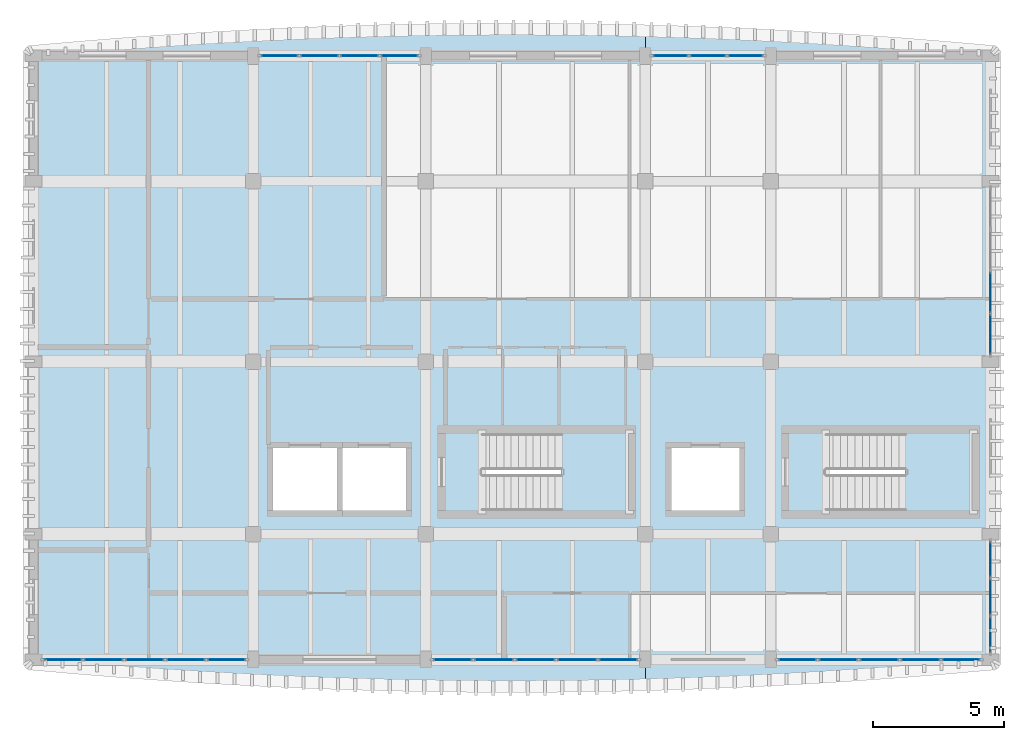
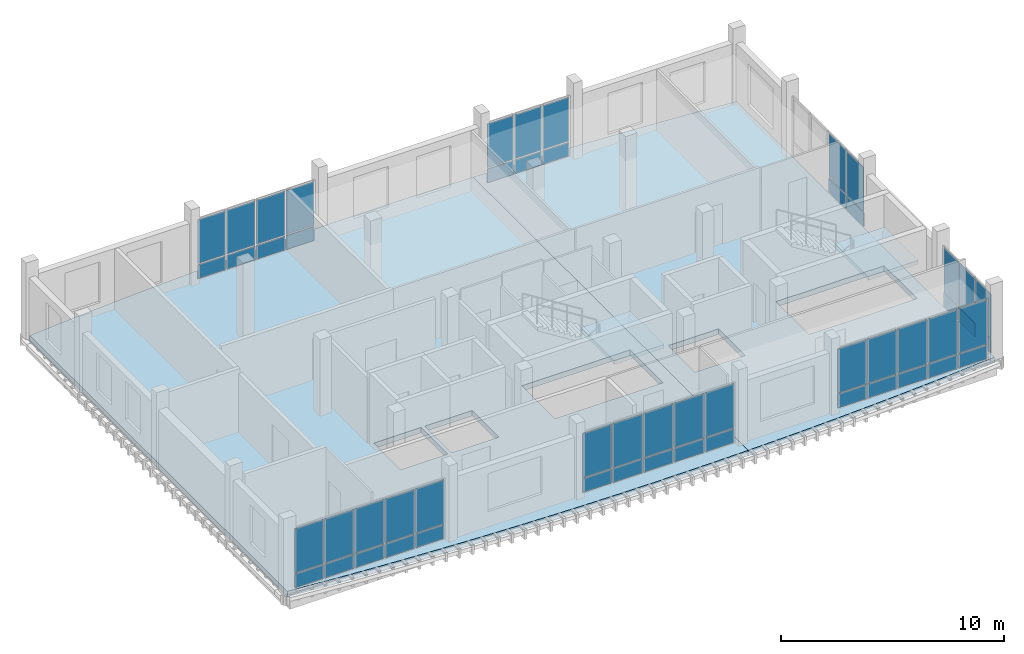
# One storey, part 6 of 16: 54 plates, 4 slabs, 9 elements without a shape of their own.
"""IFC4 building model written with IfcOpenShell, lengths in metres."""

from ifc_helpers import new_model, si_unit, direction, frame, origin, origin_2d, place, context, subcontext, project, spatial, polyline, rectangle, outline, extrude, material, layer, layer_set, type_object, element, aggregate, save


model = new_model("IFC4")

# Units and contexts
model_context = context("Model", 3, precision=1e-05, world=origin(), true_north=direction((0.0, 1.0)))
body_context = subcontext(model_context, "Body", "Model", "MODEL_VIEW")
ifc_project = project(units=[si_unit("LENGTHUNIT", "METRE"), si_unit("AREAUNIT", "SQUARE_METRE"), si_unit("VOLUMEUNIT", "CUBIC_METRE"), si_unit("PLANEANGLEUNIT", "RADIAN"), si_unit("MASSUNIT", "GRAM", prefix="KILO")], contexts=[model_context])

# Site, building, storey
site_placement = place(None, origin())
site = spatial("IfcSite", under=ifc_project, at=site_placement, CompositionType="ELEMENT")
building_placement = place(site_placement, origin())
building = spatial("IfcBuilding", under=site, at=building_placement, Name="Dornvale Research Institute", CompositionType="ELEMENT")
storey_placement = place(building_placement, frame((0.0, 0.0, 42.60009765625)))
storey = spatial("IfcBuildingStorey", under=building, at=storey_placement, Name="L09", CompositionType="ELEMENT", Elevation=42.60009765625)

# Curtain wall, plates
ifc_material_1 = material(Name="Low-E Argon Double Insulating Glazing Unit", Category="glass")
curtain_wall_type_1 = type_object("IfcCurtainWallType", Name="UnitisedCurtainWall_V5_6150x3350", PredefinedType="USERDEFINED", material=ifc_material_1)
curtain_wall_1_placement = place(storey_placement, origin())
curtain_wall_1 = element("IfcCurtainWall", 1, at=curtain_wall_1_placement, inside=storey, type_object=curtain_wall_type_1, Name="L09 V5 unitised curtain wall CW-34 #195", ObjectType="UNITISED CURTAIN WALL", PredefinedType="USERDEFINED")
ifc_material_2 = material(Name="Insulated Ceramic-Frit Spandrel Glass Panel", Category="glass")
ifc_layer_1 = layer(ifc_material_2, 0.0419921875)
ifc_layer_set_1 = layer_set([ifc_layer_1], Name="Insulated Ceramic-Frit Spandrel Glass Panel")
plate_type_1 = type_object("IfcPlateType", Name="CurtainPanel_Spandrel_42", PredefinedType="CURTAIN_PANEL", material=ifc_layer_set_1)
plate_1_placement = place(storey_placement, frame((14.2099609375, 122.10009765625, 0.06494140625), z_axis=(0.0, 0.0, 1.0), x_axis=(1.0, 0.0, 0.0)))
plate_1 = element("IfcPlate", 2, at=plate_1_placement, type_object=plate_type_1, Name="CW-34 panel 1.1", PredefinedType="CURTAIN_PANEL", context=body_context, shape_type="SweptSolid", body=[
    extrude(rectangle(XDim=1.43994140625, YDim=0.0419921875, at=origin_2d()), origin(), (0.0, 0.0, 1.0), 0.75244140625),
])
plate_2_placement = place(storey_placement, frame((15.731201171875, 122.10009765625, 0.06494140625), z_axis=(0.0, 0.0, 1.0), x_axis=(1.0, 0.0, 0.0)))
plate_2 = element("IfcPlate", 3, at=plate_2_placement, type_object=plate_type_1, Name="CW-34 panel 2.1", PredefinedType="CURTAIN_PANEL", context=body_context, shape_type="SweptSolid", body=[
    extrude(rectangle(XDim=1.472412109375, YDim=0.0419921875, at=origin_2d()), origin(), (0.0, 0.0, 1.0), 0.75244140625),
])
plate_3_placement = place(storey_placement, frame((17.268798828125, 122.10009765625, 0.06494140625), z_axis=(0.0, 0.0, 1.0), x_axis=(1.0, 0.0, 0.0)))
plate_3 = element("IfcPlate", 4, at=plate_3_placement, type_object=plate_type_1, Name="CW-34 panel 3.1", PredefinedType="CURTAIN_PANEL", context=body_context, shape_type="SweptSolid", body=[
    extrude(rectangle(XDim=1.472412109375, YDim=0.0419921875, at=origin_2d()), origin(), (0.0, 0.0, 1.0), 0.75244140625),
])
plate_4_placement = place(storey_placement, frame((18.7900390625, 122.10009765625, 0.06494140625), z_axis=(0.0, 0.0, 1.0), x_axis=(1.0, 0.0, 0.0)))
plate_4 = element("IfcPlate", 5, at=plate_4_placement, type_object=plate_type_1, Name="CW-34 panel 4.1", PredefinedType="CURTAIN_PANEL", context=body_context, shape_type="SweptSolid", body=[
    extrude(rectangle(XDim=1.43994140625, YDim=0.0419921875, at=origin_2d()), origin(), (0.0, 0.0, 1.0), 0.75244140625),
])

ifc_material_3 = material(Name="Low-E Argon Double Insulating Glazing Unit", Category="glass")
curtain_wall_type_2 = type_object("IfcCurtainWallType", Name="UnitisedCurtainWall_V5_4350x3350", PredefinedType="USERDEFINED", material=ifc_material_3)
curtain_wall_2_placement = place(storey_placement, origin())
curtain_wall_2 = element("IfcCurtainWall", 6, at=curtain_wall_2_placement, inside=storey, type_object=curtain_wall_type_2, Name="L09 V5 unitised curtain wall CW-35 #196", ObjectType="UNITISED CURTAIN WALL", PredefinedType="USERDEFINED")
plate_5_placement = place(storey_placement, frame((29.166259765625, 122.10009765625, 0.06494140625), z_axis=(0.0, 0.0, 1.0), x_axis=(1.0, 0.0, 0.0)))
plate_5 = element("IfcPlate", 7, at=plate_5_placement, type_object=plate_type_1, Name="CW-35 panel 1.1", PredefinedType="CURTAIN_PANEL", context=body_context, shape_type="SweptSolid", body=[
    extrude(rectangle(XDim=1.3525390625, YDim=0.0419921875, at=origin_2d()), origin(), (0.0, 0.0, 1.0), 0.75244140625),
])
plate_6_placement = place(storey_placement, frame((30.60009765625, 122.10009765625, 0.06494140625), z_axis=(0.0, 0.0, 1.0), x_axis=(1.0, 0.0, 0.0)))
plate_6 = element("IfcPlate", 8, at=plate_6_placement, type_object=plate_type_1, Name="CW-35 panel 2.1", PredefinedType="CURTAIN_PANEL", context=body_context, shape_type="SweptSolid", body=[
    extrude(rectangle(XDim=1.385009765625, YDim=0.0419921875, at=origin_2d()), origin(), (0.0, 0.0, 1.0), 0.75244140625),
])
plate_7_placement = place(storey_placement, frame((32.03369140625, 122.10009765625, 0.06494140625), z_axis=(0.0, 0.0, 1.0), x_axis=(1.0, 0.0, 0.0)))
plate_7 = element("IfcPlate", 9, at=plate_7_placement, type_object=plate_type_1, Name="CW-35 panel 3.1", PredefinedType="CURTAIN_PANEL", context=body_context, shape_type="SweptSolid", body=[
    extrude(rectangle(XDim=1.3525390625, YDim=0.0419921875, at=origin_2d()), origin(), (0.0, 0.0, 1.0), 0.75244140625),
])

ifc_material_4 = material(Name="Low-E Argon Double Insulating Glazing Unit", Category="glass")
curtain_wall_type_3 = type_object("IfcCurtainWallType", Name="UnitisedCurtainWall_V5_6450x3350", PredefinedType="USERDEFINED", material=ifc_material_4)
curtain_wall_3_placement = place(storey_placement, origin())
curtain_wall_3 = element("IfcCurtainWall", 10, at=curtain_wall_3_placement, inside=storey, type_object=curtain_wall_type_3, Name="L09 V5 unitised curtain wall CW-36 #197", ObjectType="UNITISED CURTAIN WALL", PredefinedType="USERDEFINED")
plate_8_placement = place(storey_placement, frame((41.39990234375, 113.043701171875, 0.06494140625), z_axis=(0.0, 0.0, 1.0), x_axis=(0.0, -1.0, 0.0)))
plate_8 = element("IfcPlate", 11, at=plate_8_placement, type_object=plate_type_1, Name="CW-36 panel 3.1", PredefinedType="CURTAIN_PANEL", context=body_context, shape_type="SweptSolid", body=[
    extrude(rectangle(XDim=1.547607421875, YDim=0.0419921875, at=origin_2d()), origin(), (0.0, 0.0, 1.0), 0.75244140625),
])
plate_9_placement = place(storey_placement, frame((41.39990234375, 111.447509765625, 0.06494140625), z_axis=(0.0, 0.0, 1.0), x_axis=(0.0, -1.0, 0.0)))
plate_9 = element("IfcPlate", 12, at=plate_9_placement, type_object=plate_type_1, Name="CW-36 panel 4.1", PredefinedType="CURTAIN_PANEL", context=body_context, shape_type="SweptSolid", body=[
    extrude(rectangle(XDim=1.514892578125, YDim=0.0419921875, at=origin_2d()), origin(), (0.0, 0.0, 1.0), 0.75244140625),
])

curtain_wall_4_placement = place(storey_placement, origin())
curtain_wall_4 = element("IfcCurtainWall", 13, at=curtain_wall_4_placement, inside=storey, type_object=curtain_wall_type_2, Name="L09 V5 unitised curtain wall CW-35 #198", ObjectType="UNITISED CURTAIN WALL", PredefinedType="USERDEFINED")
plate_10_placement = place(storey_placement, frame((41.39990234375, 102.833740234375, 0.06494140625), z_axis=(0.0, 0.0, 1.0), x_axis=(0.0, -1.0, 0.0)))
plate_10 = element("IfcPlate", 14, at=plate_10_placement, type_object=plate_type_1, Name="CW-35 panel 1.1", PredefinedType="CURTAIN_PANEL", context=body_context, shape_type="SweptSolid", body=[
    extrude(rectangle(XDim=1.3525390625, YDim=0.0419921875, at=origin_2d()), origin(), (0.0, 0.0, 1.0), 0.75244140625),
])
plate_11_placement = place(storey_placement, frame((41.39990234375, 101.39990234375, 0.06494140625), z_axis=(0.0, 0.0, 1.0), x_axis=(0.0, -1.0, 0.0)))
plate_11 = element("IfcPlate", 15, at=plate_11_placement, type_object=plate_type_1, Name="CW-35 panel 2.1", PredefinedType="CURTAIN_PANEL", context=body_context, shape_type="SweptSolid", body=[
    extrude(rectangle(XDim=1.385009765625, YDim=0.0419921875, at=origin_2d()), origin(), (0.0, 0.0, 1.0), 0.75244140625),
])
plate_12_placement = place(storey_placement, frame((41.39990234375, 99.96630859375, 0.06494140625), z_axis=(0.0, 0.0, 1.0), x_axis=(0.0, -1.0, 0.0)))
plate_12 = element("IfcPlate", 16, at=plate_12_placement, type_object=plate_type_1, Name="CW-35 panel 3.1", PredefinedType="CURTAIN_PANEL", context=body_context, shape_type="SweptSolid", body=[
    extrude(rectangle(XDim=1.3525390625, YDim=0.0419921875, at=origin_2d()), origin(), (0.0, 0.0, 1.0), 0.75244140625),
])

ifc_material_5 = material(Name="Low-E Argon Double Insulating Glazing Unit", Category="glass")
curtain_wall_type_4 = type_object("IfcCurtainWallType", Name="UnitisedCurtainWall_V5_7850x3350", PredefinedType="USERDEFINED", material=ifc_material_5)
curtain_wall_5_placement = place(storey_placement, origin())
curtain_wall_5 = element("IfcCurtainWall", 17, at=curtain_wall_5_placement, inside=storey, type_object=curtain_wall_type_4, Name="L09 V5 unitised curtain wall CW-37 #199", ObjectType="UNITISED CURTAIN WALL", PredefinedType="USERDEFINED")
plate_13_placement = place(storey_placement, frame((40.273681640625, 99.0, 0.06494140625), z_axis=(0.0, 0.0, 1.0), x_axis=(-1.0, 0.0, 0.0)))
plate_13 = element("IfcPlate", 18, at=plate_13_placement, type_object=plate_type_1, Name="CW-37 panel 1.1", PredefinedType="CURTAIN_PANEL", context=body_context, shape_type="SweptSolid", body=[
    extrude(rectangle(XDim=1.472412109375, YDim=0.0419921875, at=origin_2d()), origin(), (0.0, 0.0, 1.0), 0.75244140625),
])
plate_14_placement = place(storey_placement, frame((38.719970703125, 99.0, 0.06494140625), z_axis=(0.0, 0.0, 1.0), x_axis=(-1.0, 0.0, 0.0)))
plate_14 = element("IfcPlate", 19, at=plate_14_placement, type_object=plate_type_1, Name="CW-37 panel 2.1", PredefinedType="CURTAIN_PANEL", context=body_context, shape_type="SweptSolid", body=[
    extrude(rectangle(XDim=1.5048828125, YDim=0.0419921875, at=origin_2d()), origin(), (0.0, 0.0, 1.0), 0.75244140625),
])
plate_15_placement = place(storey_placement, frame((37.14990234375, 99.0, 0.06494140625), z_axis=(0.0, 0.0, 1.0), x_axis=(-1.0, 0.0, 0.0)))
plate_15 = element("IfcPlate", 20, at=plate_15_placement, type_object=plate_type_1, Name="CW-37 panel 3.1", PredefinedType="CURTAIN_PANEL", context=body_context, shape_type="SweptSolid", body=[
    extrude(rectangle(XDim=1.5048828125, YDim=0.0419921875, at=origin_2d()), origin(), (0.0, 0.0, 1.0), 0.75244140625),
])
plate_16_placement = place(storey_placement, frame((35.580078125, 99.0, 0.06494140625), z_axis=(0.0, 0.0, 1.0), x_axis=(-1.0, 0.0, 0.0)))
plate_16 = element("IfcPlate", 21, at=plate_16_placement, type_object=plate_type_1, Name="CW-37 panel 4.1", PredefinedType="CURTAIN_PANEL", context=body_context, shape_type="SweptSolid", body=[
    extrude(rectangle(XDim=1.5048828125, YDim=0.0419921875, at=origin_2d()), origin(), (0.0, 0.0, 1.0), 0.75244140625),
])
plate_17_placement = place(storey_placement, frame((34.0263671875, 99.0, 0.06494140625), z_axis=(0.0, 0.0, 1.0), x_axis=(-1.0, 0.0, 0.0)))
plate_17 = element("IfcPlate", 22, at=plate_17_placement, type_object=plate_type_1, Name="CW-37 panel 5.1", PredefinedType="CURTAIN_PANEL", context=body_context, shape_type="SweptSolid", body=[
    extrude(rectangle(XDim=1.472412109375, YDim=0.0419921875, at=origin_2d()), origin(), (0.0, 0.0, 1.0), 0.75244140625),
])

ifc_material_6 = material(Name="Low-E Argon Double Insulating Glazing Unit", Category="glass")
curtain_wall_type_5 = type_object("IfcCurtainWallType", Name="UnitisedCurtainWall_V5_7950x3350", PredefinedType="USERDEFINED", material=ifc_material_6)
curtain_wall_6_placement = place(storey_placement, origin())
curtain_wall_6 = element("IfcCurtainWall", 23, at=curtain_wall_6_placement, inside=storey, type_object=curtain_wall_type_5, Name="L09 V5 unitised curtain wall CW-38 #200", ObjectType="UNITISED CURTAIN WALL", PredefinedType="USERDEFINED")
plate_18_placement = place(storey_placement, frame((27.163818359375, 99.0, 0.06494140625), z_axis=(0.0, 0.0, 1.0), x_axis=(-1.0, 0.0, 0.0)))
plate_18 = element("IfcPlate", 24, at=plate_18_placement, type_object=plate_type_1, Name="CW-38 panel 1.1", PredefinedType="CURTAIN_PANEL", context=body_context, shape_type="SweptSolid", body=[
    extrude(rectangle(XDim=1.492431640625, YDim=0.0419921875, at=origin_2d()), origin(), (0.0, 0.0, 1.0), 0.75244140625),
])
plate_19_placement = place(storey_placement, frame((25.590087890625, 99.0, 0.06494140625), z_axis=(0.0, 0.0, 1.0), x_axis=(-1.0, 0.0, 0.0)))
plate_19 = element("IfcPlate", 25, at=plate_19_placement, type_object=plate_type_1, Name="CW-38 panel 2.1", PredefinedType="CURTAIN_PANEL", context=body_context, shape_type="SweptSolid", body=[
    extrude(rectangle(XDim=1.52490234375, YDim=0.0419921875, at=origin_2d()), origin(), (0.0, 0.0, 1.0), 0.75244140625),
])
plate_20_placement = place(storey_placement, frame((24.0, 99.0, 0.06494140625), z_axis=(0.0, 0.0, 1.0), x_axis=(-1.0, 0.0, 0.0)))
plate_20 = element("IfcPlate", 26, at=plate_20_placement, type_object=plate_type_1, Name="CW-38 panel 3.1", PredefinedType="CURTAIN_PANEL", context=body_context, shape_type="SweptSolid", body=[
    extrude(rectangle(XDim=1.52490234375, YDim=0.0419921875, at=origin_2d()), origin(), (0.0, 0.0, 1.0), 0.75244140625),
])
plate_21_placement = place(storey_placement, frame((22.409912109375, 99.0, 0.06494140625), z_axis=(0.0, 0.0, 1.0), x_axis=(-1.0, 0.0, 0.0)))
plate_21 = element("IfcPlate", 27, at=plate_21_placement, type_object=plate_type_1, Name="CW-38 panel 4.1", PredefinedType="CURTAIN_PANEL", context=body_context, shape_type="SweptSolid", body=[
    extrude(rectangle(XDim=1.52490234375, YDim=0.0419921875, at=origin_2d()), origin(), (0.0, 0.0, 1.0), 0.75244140625),
])
plate_22_placement = place(storey_placement, frame((20.836181640625, 99.0, 0.06494140625), z_axis=(0.0, 0.0, 1.0), x_axis=(-1.0, 0.0, 0.0)))
plate_22 = element("IfcPlate", 28, at=plate_22_placement, type_object=plate_type_1, Name="CW-38 panel 5.1", PredefinedType="CURTAIN_PANEL", context=body_context, shape_type="SweptSolid", body=[
    extrude(rectangle(XDim=1.492431640625, YDim=0.0419921875, at=origin_2d()), origin(), (0.0, 0.0, 1.0), 0.75244140625),
])

curtain_wall_7_placement = place(storey_placement, origin())
curtain_wall_7 = element("IfcCurtainWall", 29, at=curtain_wall_7_placement, inside=storey, type_object=curtain_wall_type_4, Name="L09 V5 unitised curtain wall CW-37 #201", ObjectType="UNITISED CURTAIN WALL", PredefinedType="USERDEFINED")
plate_23_placement = place(storey_placement, frame((12.173828125, 99.0, 0.06494140625), z_axis=(0.0, 0.0, 1.0), x_axis=(-1.0, 0.0, 0.0)))
plate_23 = element("IfcPlate", 30, at=plate_23_placement, type_object=plate_type_1, Name="CW-37 panel 1.1", PredefinedType="CURTAIN_PANEL", context=body_context, shape_type="SweptSolid", body=[
    extrude(rectangle(XDim=1.472412109375, YDim=0.0419921875, at=origin_2d()), origin(), (0.0, 0.0, 1.0), 0.75244140625),
])
plate_24_placement = place(storey_placement, frame((10.6201171875, 99.0, 0.06494140625), z_axis=(0.0, 0.0, 1.0), x_axis=(-1.0, 0.0, 0.0)))
plate_24 = element("IfcPlate", 31, at=plate_24_placement, type_object=plate_type_1, Name="CW-37 panel 2.1", PredefinedType="CURTAIN_PANEL", context=body_context, shape_type="SweptSolid", body=[
    extrude(rectangle(XDim=1.5048828125, YDim=0.0419921875, at=origin_2d()), origin(), (0.0, 0.0, 1.0), 0.75244140625),
])
plate_25_placement = place(storey_placement, frame((9.050048828125, 99.0, 0.06494140625), z_axis=(0.0, 0.0, 1.0), x_axis=(-1.0, 0.0, 0.0)))
plate_25 = element("IfcPlate", 32, at=plate_25_placement, type_object=plate_type_1, Name="CW-37 panel 3.1", PredefinedType="CURTAIN_PANEL", context=body_context, shape_type="SweptSolid", body=[
    extrude(rectangle(XDim=1.5048828125, YDim=0.0419921875, at=origin_2d()), origin(), (0.0, 0.0, 1.0), 0.75244140625),
])
plate_26_placement = place(storey_placement, frame((7.47998046875, 99.0, 0.06494140625), z_axis=(0.0, 0.0, 1.0), x_axis=(-1.0, 0.0, 0.0)))
plate_26 = element("IfcPlate", 33, at=plate_26_placement, type_object=plate_type_1, Name="CW-37 panel 4.1", PredefinedType="CURTAIN_PANEL", context=body_context, shape_type="SweptSolid", body=[
    extrude(rectangle(XDim=1.5048828125, YDim=0.0419921875, at=origin_2d()), origin(), (0.0, 0.0, 1.0), 0.75244140625),
])
plate_27_placement = place(storey_placement, frame((5.92626953125, 99.0, 0.06494140625), z_axis=(0.0, 0.0, 1.0), x_axis=(-1.0, 0.0, 0.0)))
plate_27 = element("IfcPlate", 34, at=plate_27_placement, type_object=plate_type_1, Name="CW-37 panel 5.1", PredefinedType="CURTAIN_PANEL", context=body_context, shape_type="SweptSolid", body=[
    extrude(rectangle(XDim=1.472412109375, YDim=0.0419921875, at=origin_2d()), origin(), (0.0, 0.0, 1.0), 0.75244140625),
])

# Plate
ifc_material_7 = material(Name="Low-E Argon Double Insulating Glazing Unit", Category="glass")
ifc_layer_2 = layer(ifc_material_7, 0.028076171875)
ifc_layer_set_2 = layer_set([ifc_layer_2], Name="Low-E Argon Double Insulating Glazing Unit")
plate_type_2 = type_object("IfcPlateType", Name="CurtainPanel_Vision_28", PredefinedType="CURTAIN_PANEL", material=ifc_layer_set_2)
plate_28_placement = place(storey_placement, frame((14.2099609375, 122.10009765625, 0.88232421875), z_axis=(0.0, 0.0, 1.0), x_axis=(1.0, 0.0, 0.0)))
plate_28 = element("IfcPlate", 35, at=plate_28_placement, type_object=plate_type_2, Name="CW-34 panel 1.2", PredefinedType="CURTAIN_PANEL", context=body_context, shape_type="SweptSolid", body=[
    extrude(rectangle(XDim=1.43994140625, YDim=0.028076171875, at=origin_2d()), origin(), (0.0, 0.0, 1.0), 2.402587890625),
])

plate_29_placement = place(storey_placement, frame((15.731201171875, 122.10009765625, 0.88232421875), z_axis=(0.0, 0.0, 1.0), x_axis=(1.0, 0.0, 0.0)))
plate_29 = element("IfcPlate", 36, at=plate_29_placement, type_object=plate_type_2, Name="CW-34 panel 2.2", PredefinedType="CURTAIN_PANEL", context=body_context, shape_type="SweptSolid", body=[
    extrude(rectangle(XDim=1.472412109375, YDim=0.028076171875, at=origin_2d()), origin(), (0.0, 0.0, 1.0), 2.402587890625),
])

plate_30_placement = place(storey_placement, frame((17.268798828125, 122.10009765625, 0.88232421875), z_axis=(0.0, 0.0, 1.0), x_axis=(1.0, 0.0, 0.0)))
plate_30 = element("IfcPlate", 37, at=plate_30_placement, type_object=plate_type_2, Name="CW-34 panel 3.2", PredefinedType="CURTAIN_PANEL", context=body_context, shape_type="SweptSolid", body=[
    extrude(rectangle(XDim=1.472412109375, YDim=0.028076171875, at=origin_2d()), origin(), (0.0, 0.0, 1.0), 2.402587890625),
])

plate_31_placement = place(storey_placement, frame((18.7900390625, 122.10009765625, 0.88232421875), z_axis=(0.0, 0.0, 1.0), x_axis=(1.0, 0.0, 0.0)))
plate_31 = element("IfcPlate", 38, at=plate_31_placement, type_object=plate_type_2, Name="CW-34 panel 4.2", PredefinedType="CURTAIN_PANEL", context=body_context, shape_type="SweptSolid", body=[
    extrude(rectangle(XDim=1.43994140625, YDim=0.028076171875, at=origin_2d()), origin(), (0.0, 0.0, 1.0), 2.402587890625),
])

aggregate(curtain_wall_1, [plate_1, plate_28, plate_2, plate_29, plate_3, plate_30, plate_4, plate_31])

plate_32_placement = place(storey_placement, frame((29.166259765625, 122.10009765625, 0.88232421875), z_axis=(0.0, 0.0, 1.0), x_axis=(1.0, 0.0, 0.0)))
plate_32 = element("IfcPlate", 39, at=plate_32_placement, type_object=plate_type_2, Name="CW-35 panel 1.2", PredefinedType="CURTAIN_PANEL", context=body_context, shape_type="SweptSolid", body=[
    extrude(rectangle(XDim=1.3525390625, YDim=0.028076171875, at=origin_2d()), origin(), (0.0, 0.0, 1.0), 2.402587890625),
])

plate_33_placement = place(storey_placement, frame((30.60009765625, 122.10009765625, 0.88232421875), z_axis=(0.0, 0.0, 1.0), x_axis=(1.0, 0.0, 0.0)))
plate_33 = element("IfcPlate", 40, at=plate_33_placement, type_object=plate_type_2, Name="CW-35 panel 2.2", PredefinedType="CURTAIN_PANEL", context=body_context, shape_type="SweptSolid", body=[
    extrude(rectangle(XDim=1.385009765625, YDim=0.028076171875, at=origin_2d()), origin(), (0.0, 0.0, 1.0), 2.402587890625),
])

plate_34_placement = place(storey_placement, frame((32.03369140625, 122.10009765625, 0.88232421875), z_axis=(0.0, 0.0, 1.0), x_axis=(1.0, 0.0, 0.0)))
plate_34 = element("IfcPlate", 41, at=plate_34_placement, type_object=plate_type_2, Name="CW-35 panel 3.2", PredefinedType="CURTAIN_PANEL", context=body_context, shape_type="SweptSolid", body=[
    extrude(rectangle(XDim=1.3525390625, YDim=0.028076171875, at=origin_2d()), origin(), (0.0, 0.0, 1.0), 2.402587890625),
])

aggregate(curtain_wall_2, [plate_5, plate_32, plate_6, plate_33, plate_7, plate_34])

plate_35_placement = place(storey_placement, frame((41.39990234375, 113.043701171875, 0.88232421875), z_axis=(0.0, 0.0, 1.0), x_axis=(0.0, -1.0, 0.0)))
plate_35 = element("IfcPlate", 42, at=plate_35_placement, type_object=plate_type_2, Name="CW-36 panel 3.2", PredefinedType="CURTAIN_PANEL", context=body_context, shape_type="SweptSolid", body=[
    extrude(rectangle(XDim=1.547607421875, YDim=0.028076171875, at=origin_2d()), origin(), (0.0, 0.0, 1.0), 2.402587890625),
])

plate_36_placement = place(storey_placement, frame((41.39990234375, 111.447509765625, 0.88232421875), z_axis=(0.0, 0.0, 1.0), x_axis=(0.0, -1.0, 0.0)))
plate_36 = element("IfcPlate", 43, at=plate_36_placement, type_object=plate_type_2, Name="CW-36 panel 4.2", PredefinedType="CURTAIN_PANEL", context=body_context, shape_type="SweptSolid", body=[
    extrude(rectangle(XDim=1.514892578125, YDim=0.028076171875, at=origin_2d()), origin(), (0.0, 0.0, 1.0), 2.402587890625),
])

aggregate(curtain_wall_3, [plate_8, plate_35, plate_9, plate_36])

plate_37_placement = place(storey_placement, frame((41.39990234375, 102.833740234375, 0.88232421875), z_axis=(0.0, 0.0, 1.0), x_axis=(0.0, -1.0, 0.0)))
plate_37 = element("IfcPlate", 44, at=plate_37_placement, type_object=plate_type_2, Name="CW-35 panel 1.2", PredefinedType="CURTAIN_PANEL", context=body_context, shape_type="SweptSolid", body=[
    extrude(rectangle(XDim=1.3525390625, YDim=0.028076171875, at=origin_2d()), origin(), (0.0, 0.0, 1.0), 2.402587890625),
])

plate_38_placement = place(storey_placement, frame((41.39990234375, 101.39990234375, 0.88232421875), z_axis=(0.0, 0.0, 1.0), x_axis=(0.0, -1.0, 0.0)))
plate_38 = element("IfcPlate", 45, at=plate_38_placement, type_object=plate_type_2, Name="CW-35 panel 2.2", PredefinedType="CURTAIN_PANEL", context=body_context, shape_type="SweptSolid", body=[
    extrude(rectangle(XDim=1.385009765625, YDim=0.028076171875, at=origin_2d()), origin(), (0.0, 0.0, 1.0), 2.402587890625),
])

plate_39_placement = place(storey_placement, frame((41.39990234375, 99.96630859375, 0.88232421875), z_axis=(0.0, 0.0, 1.0), x_axis=(0.0, -1.0, 0.0)))
plate_39 = element("IfcPlate", 46, at=plate_39_placement, type_object=plate_type_2, Name="CW-35 panel 3.2", PredefinedType="CURTAIN_PANEL", context=body_context, shape_type="SweptSolid", body=[
    extrude(rectangle(XDim=1.3525390625, YDim=0.028076171875, at=origin_2d()), origin(), (0.0, 0.0, 1.0), 2.402587890625),
])

aggregate(curtain_wall_4, [plate_10, plate_37, plate_11, plate_38, plate_12, plate_39])

plate_40_placement = place(storey_placement, frame((40.273681640625, 99.0, 0.88232421875), z_axis=(0.0, 0.0, 1.0), x_axis=(-1.0, 0.0, 0.0)))
plate_40 = element("IfcPlate", 47, at=plate_40_placement, type_object=plate_type_2, Name="CW-37 panel 1.2", PredefinedType="CURTAIN_PANEL", context=body_context, shape_type="SweptSolid", body=[
    extrude(rectangle(XDim=1.472412109375, YDim=0.028076171875, at=origin_2d()), origin(), (0.0, 0.0, 1.0), 2.402587890625),
])

plate_41_placement = place(storey_placement, frame((38.719970703125, 99.0, 0.88232421875), z_axis=(0.0, 0.0, 1.0), x_axis=(-1.0, 0.0, 0.0)))
plate_41 = element("IfcPlate", 48, at=plate_41_placement, type_object=plate_type_2, Name="CW-37 panel 2.2", PredefinedType="CURTAIN_PANEL", context=body_context, shape_type="SweptSolid", body=[
    extrude(rectangle(XDim=1.5048828125, YDim=0.028076171875, at=origin_2d()), origin(), (0.0, 0.0, 1.0), 2.402587890625),
])

plate_42_placement = place(storey_placement, frame((37.14990234375, 99.0, 0.88232421875), z_axis=(0.0, 0.0, 1.0), x_axis=(-1.0, 0.0, 0.0)))
plate_42 = element("IfcPlate", 49, at=plate_42_placement, type_object=plate_type_2, Name="CW-37 panel 3.2", PredefinedType="CURTAIN_PANEL", context=body_context, shape_type="SweptSolid", body=[
    extrude(rectangle(XDim=1.5048828125, YDim=0.028076171875, at=origin_2d()), origin(), (0.0, 0.0, 1.0), 2.402587890625),
])

plate_43_placement = place(storey_placement, frame((35.580078125, 99.0, 0.88232421875), z_axis=(0.0, 0.0, 1.0), x_axis=(-1.0, 0.0, 0.0)))
plate_43 = element("IfcPlate", 50, at=plate_43_placement, type_object=plate_type_2, Name="CW-37 panel 4.2", PredefinedType="CURTAIN_PANEL", context=body_context, shape_type="SweptSolid", body=[
    extrude(rectangle(XDim=1.5048828125, YDim=0.028076171875, at=origin_2d()), origin(), (0.0, 0.0, 1.0), 2.402587890625),
])

plate_44_placement = place(storey_placement, frame((34.0263671875, 99.0, 0.88232421875), z_axis=(0.0, 0.0, 1.0), x_axis=(-1.0, 0.0, 0.0)))
plate_44 = element("IfcPlate", 51, at=plate_44_placement, type_object=plate_type_2, Name="CW-37 panel 5.2", PredefinedType="CURTAIN_PANEL", context=body_context, shape_type="SweptSolid", body=[
    extrude(rectangle(XDim=1.472412109375, YDim=0.028076171875, at=origin_2d()), origin(), (0.0, 0.0, 1.0), 2.402587890625),
])

aggregate(curtain_wall_5, [plate_13, plate_40, plate_14, plate_41, plate_15, plate_42, plate_16, plate_43, plate_17, plate_44])

plate_45_placement = place(storey_placement, frame((27.163818359375, 99.0, 0.88232421875), z_axis=(0.0, 0.0, 1.0), x_axis=(-1.0, 0.0, 0.0)))
plate_45 = element("IfcPlate", 52, at=plate_45_placement, type_object=plate_type_2, Name="CW-38 panel 1.2", PredefinedType="CURTAIN_PANEL", context=body_context, shape_type="SweptSolid", body=[
    extrude(rectangle(XDim=1.492431640625, YDim=0.028076171875, at=origin_2d()), origin(), (0.0, 0.0, 1.0), 2.402587890625),
])

plate_46_placement = place(storey_placement, frame((25.590087890625, 99.0, 0.88232421875), z_axis=(0.0, 0.0, 1.0), x_axis=(-1.0, 0.0, 0.0)))
plate_46 = element("IfcPlate", 53, at=plate_46_placement, type_object=plate_type_2, Name="CW-38 panel 2.2", PredefinedType="CURTAIN_PANEL", context=body_context, shape_type="SweptSolid", body=[
    extrude(rectangle(XDim=1.52490234375, YDim=0.028076171875, at=origin_2d()), origin(), (0.0, 0.0, 1.0), 2.402587890625),
])

plate_47_placement = place(storey_placement, frame((24.0, 99.0, 0.88232421875), z_axis=(0.0, 0.0, 1.0), x_axis=(-1.0, 0.0, 0.0)))
plate_47 = element("IfcPlate", 54, at=plate_47_placement, type_object=plate_type_2, Name="CW-38 panel 3.2", PredefinedType="CURTAIN_PANEL", context=body_context, shape_type="SweptSolid", body=[
    extrude(rectangle(XDim=1.52490234375, YDim=0.028076171875, at=origin_2d()), origin(), (0.0, 0.0, 1.0), 2.402587890625),
])

plate_48_placement = place(storey_placement, frame((22.409912109375, 99.0, 0.88232421875), z_axis=(0.0, 0.0, 1.0), x_axis=(-1.0, 0.0, 0.0)))
plate_48 = element("IfcPlate", 55, at=plate_48_placement, type_object=plate_type_2, Name="CW-38 panel 4.2", PredefinedType="CURTAIN_PANEL", context=body_context, shape_type="SweptSolid", body=[
    extrude(rectangle(XDim=1.52490234375, YDim=0.028076171875, at=origin_2d()), origin(), (0.0, 0.0, 1.0), 2.402587890625),
])

plate_49_placement = place(storey_placement, frame((20.836181640625, 99.0, 0.88232421875), z_axis=(0.0, 0.0, 1.0), x_axis=(-1.0, 0.0, 0.0)))
plate_49 = element("IfcPlate", 56, at=plate_49_placement, type_object=plate_type_2, Name="CW-38 panel 5.2", PredefinedType="CURTAIN_PANEL", context=body_context, shape_type="SweptSolid", body=[
    extrude(rectangle(XDim=1.492431640625, YDim=0.028076171875, at=origin_2d()), origin(), (0.0, 0.0, 1.0), 2.402587890625),
])

aggregate(curtain_wall_6, [plate_18, plate_45, plate_19, plate_46, plate_20, plate_47, plate_21, plate_48, plate_22, plate_49])

plate_50_placement = place(storey_placement, frame((12.173828125, 99.0, 0.88232421875), z_axis=(0.0, 0.0, 1.0), x_axis=(-1.0, 0.0, 0.0)))
plate_50 = element("IfcPlate", 57, at=plate_50_placement, type_object=plate_type_2, Name="CW-37 panel 1.2", PredefinedType="CURTAIN_PANEL", context=body_context, shape_type="SweptSolid", body=[
    extrude(rectangle(XDim=1.472412109375, YDim=0.028076171875, at=origin_2d()), origin(), (0.0, 0.0, 1.0), 2.402587890625),
])

plate_51_placement = place(storey_placement, frame((10.6201171875, 99.0, 0.88232421875), z_axis=(0.0, 0.0, 1.0), x_axis=(-1.0, 0.0, 0.0)))
plate_51 = element("IfcPlate", 58, at=plate_51_placement, type_object=plate_type_2, Name="CW-37 panel 2.2", PredefinedType="CURTAIN_PANEL", context=body_context, shape_type="SweptSolid", body=[
    extrude(rectangle(XDim=1.5048828125, YDim=0.028076171875, at=origin_2d()), origin(), (0.0, 0.0, 1.0), 2.402587890625),
])

plate_52_placement = place(storey_placement, frame((9.050048828125, 99.0, 0.88232421875), z_axis=(0.0, 0.0, 1.0), x_axis=(-1.0, 0.0, 0.0)))
plate_52 = element("IfcPlate", 59, at=plate_52_placement, type_object=plate_type_2, Name="CW-37 panel 3.2", PredefinedType="CURTAIN_PANEL", context=body_context, shape_type="SweptSolid", body=[
    extrude(rectangle(XDim=1.5048828125, YDim=0.028076171875, at=origin_2d()), origin(), (0.0, 0.0, 1.0), 2.402587890625),
])

plate_53_placement = place(storey_placement, frame((7.47998046875, 99.0, 0.88232421875), z_axis=(0.0, 0.0, 1.0), x_axis=(-1.0, 0.0, 0.0)))
plate_53 = element("IfcPlate", 60, at=plate_53_placement, type_object=plate_type_2, Name="CW-37 panel 4.2", PredefinedType="CURTAIN_PANEL", context=body_context, shape_type="SweptSolid", body=[
    extrude(rectangle(XDim=1.5048828125, YDim=0.028076171875, at=origin_2d()), origin(), (0.0, 0.0, 1.0), 2.402587890625),
])

plate_54_placement = place(storey_placement, frame((5.92626953125, 99.0, 0.88232421875), z_axis=(0.0, 0.0, 1.0), x_axis=(-1.0, 0.0, 0.0)))
plate_54 = element("IfcPlate", 61, at=plate_54_placement, type_object=plate_type_2, Name="CW-37 panel 5.2", PredefinedType="CURTAIN_PANEL", context=body_context, shape_type="SweptSolid", body=[
    extrude(rectangle(XDim=1.472412109375, YDim=0.028076171875, at=origin_2d()), origin(), (0.0, 0.0, 1.0), 2.402587890625),
])

aggregate(curtain_wall_7, [plate_23, plate_50, plate_24, plate_51, plate_25, plate_52, plate_26, plate_53, plate_27, plate_54])

# Slabs
ifc_material_8 = material(Name="Concrete f'c 45 MPa (C35/45)", Category="concrete")
ifc_layer_3 = layer(ifc_material_8, 0.300048828125)
ifc_layer_set_3 = layer_set([ifc_layer_3], Name="Concrete f'c 45 MPa (C35/45)")
slab_type_1 = type_object("IfcSlabType", Name="FloorSlab_DryLab_300", PredefinedType="FLOOR", material=ifc_layer_set_3)
slab_1_placement = place(storey_placement, frame((0.0, 0.0, -0.300048828125)))
element("IfcSlab", 62, at=slab_1_placement, inside=storey, type_object=slab_type_1, Name="L09 V5 W floor slab", PredefinedType="FLOOR", context=body_context, shape_type="SweptSolid", body=[
    extrude(outline(polyline([(28.0908203125, 98.213134765625), (26.42724609375, 98.177978515625), (24.763671875, 98.156982421875), (23.10009765625, 98.14990234375), (21.436279296875, 98.156982421875), (19.772705078125, 98.177978515625), (18.109130859375, 98.213134765625), (16.445556640625, 98.262451171875), (14.78173828125, 98.32568359375), (13.1181640625, 98.40283203125), (11.45458984375, 98.494140625), (9.791015625, 98.599609375), (8.127197265625, 98.718994140625), (6.463623046875, 98.8525390625), (4.800048828125, 99.0), (4.800048828125, 122.10009765625), (6.463623046875, 122.24755859375), (8.127197265625, 122.381103515625), (9.791015625, 122.50048828125), (11.45458984375, 122.605712890625), (13.1181640625, 122.697021484375), (14.78173828125, 122.7744140625), (16.445556640625, 122.837646484375), (18.109130859375, 122.88671875), (19.772705078125, 122.921875), (21.436279296875, 122.943115234375), (23.10009765625, 122.949951171875), (24.763671875, 122.943115234375), (26.42724609375, 122.921875), (28.0908203125, 122.88671875), (28.199951171875, 122.883544921875), (28.199951171875, 98.21630859375), (28.0908203125, 98.213134765625)]), holes=[polyline([(21.949951171875, 104.699951171875), (27.550048828125, 104.699951171875), (27.550048828125, 107.659912109375), (21.949951171875, 107.659912109375), (21.949951171875, 104.699951171875)]), polyline([(13.949951171875, 104.699951171875), (16.39990234375, 104.699951171875), (16.39990234375, 107.10009765625), (13.949951171875, 107.10009765625), (13.949951171875, 104.699951171875)]), polyline([(16.60009765625, 104.699951171875), (19.050048828125, 104.699951171875), (19.050048828125, 107.10009765625), (16.60009765625, 107.10009765625), (16.60009765625, 104.699951171875)])]), origin(), (0.0, 0.0, 1.0), 0.300048828125),
])
slab_2_placement = place(storey_placement, frame((0.0, 0.0, -0.300048828125)))
element("IfcSlab", 63, at=slab_2_placement, inside=storey, type_object=slab_type_1, Name="L09 V5 E floor slab", PredefinedType="FLOOR", context=body_context, shape_type="SweptSolid", body=[
    extrude(outline(polyline([(29.75439453125, 122.837646484375), (31.418212890625, 122.7744140625), (33.081787109375, 122.697021484375), (34.74560546875, 122.605712890625), (36.4091796875, 122.50048828125), (38.07275390625, 122.381103515625), (39.736328125, 122.24755859375), (41.39990234375, 122.10009765625), (41.39990234375, 99.0), (39.736328125, 98.8525390625), (38.07275390625, 98.718994140625), (36.4091796875, 98.599609375), (34.74560546875, 98.494140625), (33.081787109375, 98.40283203125), (31.418212890625, 98.32568359375), (29.75439453125, 98.262451171875), (28.199951171875, 98.21630859375), (28.199951171875, 122.883544921875), (29.75439453125, 122.837646484375)]), holes=[polyline([(35.10009765625, 104.699951171875), (40.699951171875, 104.699951171875), (40.699951171875, 107.659912109375), (35.10009765625, 107.659912109375), (35.10009765625, 104.699951171875)]), polyline([(29.199951171875, 104.699951171875), (31.800048828125, 104.699951171875), (31.800048828125, 107.10009765625), (29.199951171875, 107.10009765625), (29.199951171875, 104.699951171875)])]), origin(), (0.0, 0.0, 1.0), 0.300048828125),
])

# Stair, slab
ifc_material_9 = material(Name="Concrete f'c 45 MPa (C35/45)", Category="concrete")
stair_type = type_object("IfcStairType", Name="HalfTurnStair_RC", PredefinedType="HALF_TURN_STAIR", material=ifc_material_9)
stair_1_placement = place(storey_placement, origin())
stair_1 = element("IfcStair", 64, at=stair_1_placement, inside=storey, type_object=stair_type, Name="L09 Exit stair ST-1", PredefinedType="HALF_TURN_STAIR")
ifc_material_10 = material(Name="Concrete f'c 45 MPa (C35/45)", Category="concrete")
ifc_layer_4 = layer(ifc_material_10, 0.199951171875)
ifc_layer_set_4 = layer_set([ifc_layer_4], Name="Concrete f'c 45 MPa (C35/45)")
slab_type_2 = type_object("IfcSlabType", Name="Landing_Stair_200", PredefinedType="LANDING", material=ifc_layer_set_4)
slab_3_placement = place(storey_placement, frame((0.0, 0.0, 1.89990234375)))
slab_3 = element("IfcSlab", 65, at=slab_3_placement, type_object=slab_type_2, Name="ST-1 landing 1", PredefinedType="LANDING", context=body_context, shape_type="SweptSolid", body=[
    extrude(outline(polyline([(25.0, 104.669921875), (25.0, 107.68994140625), (27.580078125, 107.68994140625), (27.580078125, 104.669921875), (25.0, 104.669921875)])), origin(), (0.0, 0.0, 1.0), 0.199951171875),
])
aggregate(stair_1, [slab_3])

stair_2_placement = place(storey_placement, origin())
stair_2 = element("IfcStair", 66, at=stair_2_placement, inside=storey, type_object=stair_type, Name="L09 Exit stair ST-2", PredefinedType="HALF_TURN_STAIR")
slab_4_placement = place(storey_placement, frame((0.0, 0.0, 1.89990234375)))
slab_4 = element("IfcSlab", 67, at=slab_4_placement, type_object=slab_type_2, Name="ST-2 landing 1", PredefinedType="LANDING", context=body_context, shape_type="SweptSolid", body=[
    extrude(outline(polyline([(38.14990234375, 104.669921875), (38.14990234375, 107.68994140625), (40.72998046875, 107.68994140625), (40.72998046875, 104.669921875), (38.14990234375, 104.669921875)])), origin(), (0.0, 0.0, 1.0), 0.199951171875),
])
aggregate(stair_2, [slab_4])

save(model, "model.ifc")
